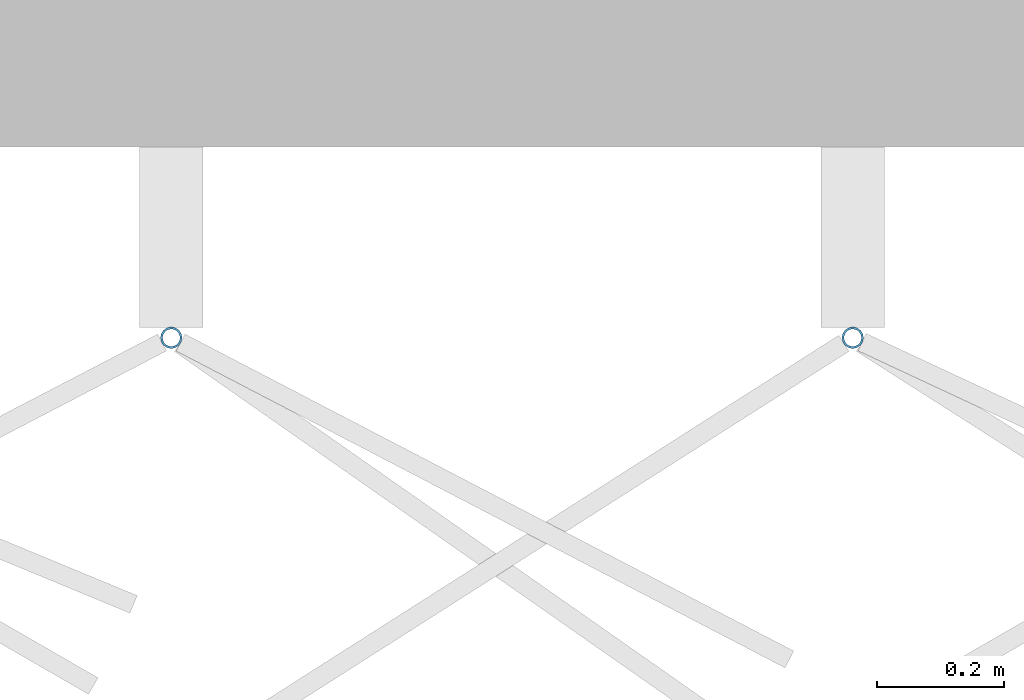
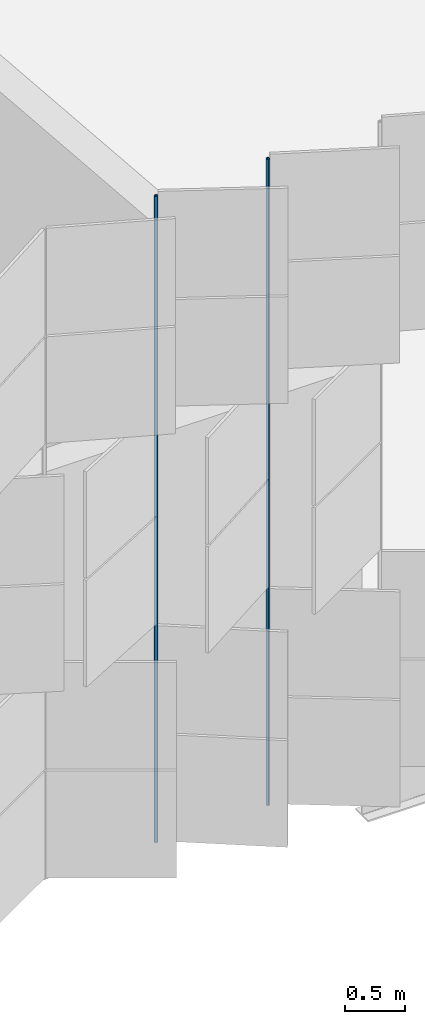
# One storey, part 216 of 483: 2 discrete accessories.
"""IFC4 building model written with IfcOpenShell, lengths in metres."""

from ifc_helpers import new_model, si_unit, direction, frame, origin, origin_2d, place, context, subcontext, project, spatial, hollow_circle, extrude, material, material_profile, profile_set, type_object, element, save


model = new_model("IFC4")

# Units and contexts
model_context = context("Model", 3, precision=1e-05, world=origin(), true_north=direction((0.0, 1.0)))
body_context = subcontext(model_context, "Body", "Model", "MODEL_VIEW")
ifc_project = project(units=[si_unit("LENGTHUNIT", "METRE"), si_unit("AREAUNIT", "SQUARE_METRE"), si_unit("VOLUMEUNIT", "CUBIC_METRE"), si_unit("PLANEANGLEUNIT", "RADIAN"), si_unit("MASSUNIT", "GRAM", prefix="KILO")], contexts=[model_context])

# Site, building, storey
site_placement = place(None, origin())
site = spatial("IfcSite", under=ifc_project, at=site_placement, CompositionType="ELEMENT")
building_placement = place(site_placement, origin())
building = spatial("IfcBuilding", under=site, at=building_placement, Name="Parallax Yard Mobility Hub", CompositionType="ELEMENT")
storey_placement = place(building_placement, frame((0.0, 0.0, 13.199951171875)))
storey = spatial("IfcBuildingStorey", under=building, at=storey_placement, Name="L04", CompositionType="ELEMENT", Elevation=13.199951171875)

# Discrete accessories
ifc_material = material(Name="Steel ASTM A500 Gr C, hot-dip galvanised", Category="steel")
ifc_material_profile = material_profile(ifc_material, hollow_circle(Radius=0.016845703125, WallThickness=0.003173828125, at=origin_2d()), Name="CHS 33.7x3.2")
ifc_profile_set = profile_set([ifc_material_profile], Name="Steel ASTM A500 Gr C, hot-dip galvanised")
discrete_accessory_type = type_object("IfcDiscreteAccessoryType", Name="Hinge post CHS 33.7x3.2", PredefinedType="BRACKET", material=ifc_profile_set)
for number, where, z_axis, x_axis, name in (
    (1, (140.353515625, 112.199951171875, 0.0), (0.0, 0.0, 1.0), (1.0, 0.0, 0.0), "Hinge post bay 13.13 level L04"),
    (2, (141.42578125, 112.199951171875, 0.0), (0.0, 0.0, 1.0), (1.0, 0.0, 0.0), "Hinge post bay 13.14 level L04"),
):
    element("IfcDiscreteAccessory", number, at=place(storey_placement, frame(where, z_axis=z_axis, x_axis=x_axis)), inside=storey, type_object=discrete_accessory_type, Name=name, PredefinedType="BRACKET", context=body_context, shape_type="SweptSolid", body=[
        extrude(hollow_circle(Radius=0.016845703125, WallThickness=0.003173828125, at=origin_2d()), origin(), (0.0, 0.0, 1.0), 6.550048828125),
    ])

save(model, "model.ifc")
